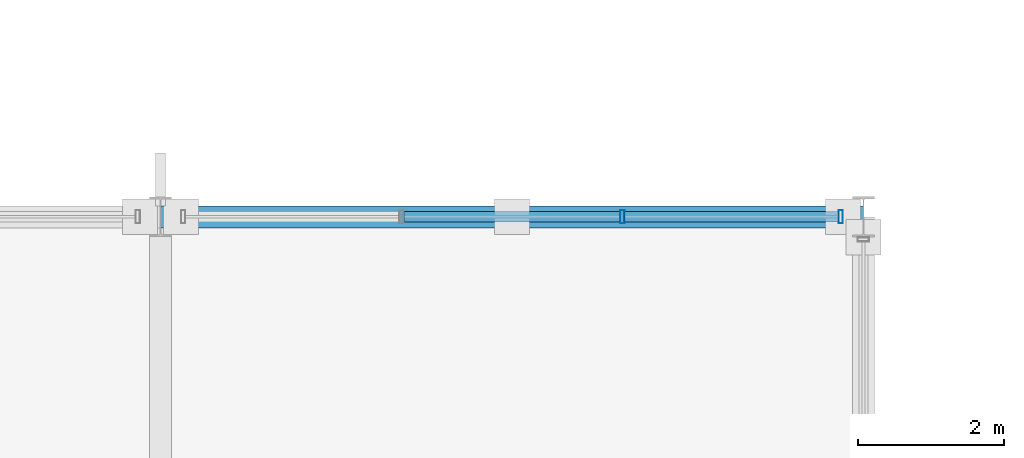
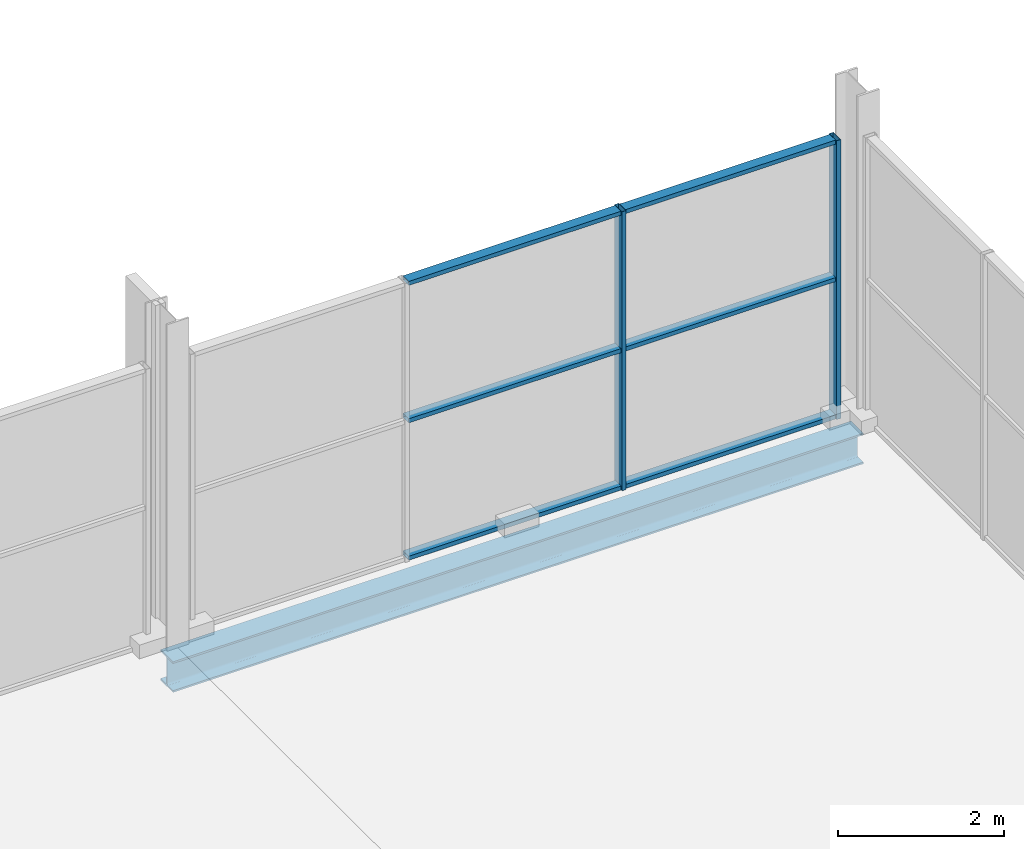
# One storey, part 89 of 159: 8 members, 1 beam, 1 element without a shape of its own.
"""IFC4 building model written with IfcOpenShell, lengths in metres."""

import ifcopenshell
import ifcopenshell.guid

model = None  # the IFC model being written
_history = None  # IfcOwnerHistory: only IFC2X3 demands one
_inside = {}  # id of a spatial element -> (the spatial element, [elements in it])
_under = {}  # id of a project, library or spatial element -> (it, [spatial elements below it])
_declared = {}  # id of a project -> (the project, [libraries it declares])
_typed = {}  # id of a type object -> (the type object, [elements of that type])
_made_of = {}  # id of a material, layer set ... -> (it, [elements and type objects made of it])


def new_model(schema):
    """Start an empty IFC model of exactly this schema.

    Asked for "IFC4X3", IfcOpenShell would pick the latest addendum, in which some entities
    have other attributes; the version numbers below select the first issue.
    IFC2X3 requires an IfcOwnerHistory on every rooted entity: one is made here for all.
    """
    global model, _history
    if schema == "IFC4X3":
        model = ifcopenshell.file(schema_version=(4, 3, 0, 0))
    else:
        model = ifcopenshell.file(schema=schema)
    _inside.clear()
    _under.clear()
    _declared.clear()
    _typed.clear()
    _made_of.clear()
    _history = None
    if model.schema == "IFC2X3":
        org = make("IfcOrganization", Name="unknown")
        user = make(
            "IfcPersonAndOrganization",
            ThePerson=make("IfcPerson", FamilyName="unknown"),
            TheOrganization=org,
        )
        app = make(
            "IfcApplication",
            ApplicationDeveloper=org,
            Version="unknown",
            ApplicationFullName="unknown",
            ApplicationIdentifier="unknown",
        )
        _history = make(
            "IfcOwnerHistory",
            OwningUser=user,
            OwningApplication=app,
            ChangeAction="ADDED",
            CreationDate=0,
        )
    return model


def make(cls, **values):
    """One entity of the class cls with the attributes given. An attribute that is None is left unset."""
    return model.create_entity(
        cls, **{name: value for name, value in values.items() if value is not None}
    )


def rooted(cls, **values):
    """An entity with a GlobalId (a new one), such as an element, a storey or a relation."""
    return make(cls, GlobalId=ifcopenshell.guid.new(), OwnerHistory=_history, **values)


def si_unit(unit_type, name, prefix=None):
    """IfcSIUnit, for example si_unit("LENGTHUNIT", "METRE", prefix="MILLI")."""
    return make("IfcSIUnit", UnitType=unit_type, Prefix=prefix, Name=name)


def assignment(units):
    """IfcUnitAssignment: the units of a project."""
    return None if units is None else make("IfcUnitAssignment", Units=units)


def point(xyz):
    """IfcCartesianPoint."""
    return None if xyz is None else make("IfcCartesianPoint", Coordinates=xyz)


def direction(xyz):
    """IfcDirection."""
    return None if xyz is None else make("IfcDirection", DirectionRatios=xyz)


def frame(location, z_axis=None, x_axis=None):
    """IfcAxis2Placement3D, a coordinate frame: its origin and axes. An axis left out is left unset."""
    return make(
        "IfcAxis2Placement3D",
        Location=point(location),
        Axis=direction(z_axis),
        RefDirection=direction(x_axis),
    )


def frame_2d(location, x_axis=None):
    """IfcAxis2Placement2D, a coordinate frame in the plane: its origin and x axis."""
    return make(
        "IfcAxis2Placement2D", Location=point(location), RefDirection=direction(x_axis)
    )


def origin():
    """The frame at (0, 0, 0) with its axes left unset."""
    return frame((0.0, 0.0, 0.0))


def origin_2d():
    """The frame at (0, 0) in the plane with its x axis left unset."""
    return frame_2d((0.0, 0.0))


def place(relative_to, where):
    """IfcLocalPlacement: puts the frame where relative to a parent placement (None: the world)."""
    return make(
        "IfcLocalPlacement", PlacementRelTo=relative_to, RelativePlacement=where
    )


def context(
    kind, dimensions, precision=None, world=None, true_north=None, identifier=None
):
    """IfcGeometricRepresentationContext, for example the 3D "Model" context."""
    return make(
        "IfcGeometricRepresentationContext",
        ContextIdentifier=identifier,
        ContextType=kind,
        CoordinateSpaceDimension=dimensions,
        Precision=precision,
        WorldCoordinateSystem=world,
        TrueNorth=true_north,
    )


def subcontext(parent, identifier, kind, view, scale=None):
    """IfcGeometricRepresentationSubContext, for example "Body" below "Model"."""
    return make(
        "IfcGeometricRepresentationSubContext",
        ContextIdentifier=identifier,
        ContextType=kind,
        ParentContext=parent,
        TargetScale=scale,
        TargetView=view,
    )


def project(units=None, contexts=None):
    """IfcProject with its units and contexts."""
    return rooted(
        "IfcProject",
        Name="project",
        RepresentationContexts=contexts,
        UnitsInContext=assignment(units),
    )


def spatial(cls, under=None, at=None, **own):
    """A site, building, storey or space (cls), placed at a placement, below another one or the project."""
    s = rooted(cls, ObjectPlacement=at, **own)
    if under is not None:
        _under.setdefault(under.id(), (under, []))[1].append(s)
    return s


def profile(cls, at=None, kind="AREA", **sizes):
    """A parametric profile (cls). Its sizes go by their IFC names, for example OverallWidth=200.0."""
    return make(cls, ProfileType=kind, Position=at, **sizes)


def hollow_rectangle(**sizes):
    """IfcRectangleHollowProfileDef."""
    return profile("IfcRectangleHollowProfileDef", **sizes)


def i_section(**sizes):
    """IfcIShapeProfileDef."""
    return profile("IfcIShapeProfileDef", **sizes)


def extrude(swept, where, along, depth):
    """IfcExtrudedAreaSolid: the profile swept, set in the frame where, extruded along a direction by depth."""
    return make(
        "IfcExtrudedAreaSolid",
        SweptArea=swept,
        Position=where,
        ExtrudedDirection=direction(along),
        Depth=depth,
    )


def shape(context_of_items, identifier, shape_type, items):
    """IfcShapeRepresentation: the items that make up one representation, for example the "Body"."""
    return make(
        "IfcShapeRepresentation",
        ContextOfItems=context_of_items,
        RepresentationIdentifier=identifier,
        RepresentationType=shape_type,
        Items=items,
    )


def material(Name=None, Category=None):
    """IfcMaterial."""
    return make("IfcMaterial", Name=Name, Category=Category)


def material_profile(
    of_material, cross_section, Name=None, Category=None, Priority=None
):
    """IfcMaterialProfile: a cross section and its material."""
    return make(
        "IfcMaterialProfile",
        Name=Name,
        Material=of_material,
        Profile=cross_section,
        Priority=Priority,
        Category=Category,
    )


def profile_set(profiles, Name=None, composite=None):
    """IfcMaterialProfileSet."""
    return make(
        "IfcMaterialProfileSet",
        Name=Name,
        MaterialProfiles=profiles,
        CompositeProfile=composite,
    )


def made_of(thing, what):
    """Note that an element or type object is made of a material, layer set ...; save() writes the relation."""
    if what is not None:
        _made_of.setdefault(what.id(), (what, []))[1].append(thing)
    return thing


def type_object(cls, material=None, **own):
    """A type object (cls), such as IfcWallType, which elements share."""
    return made_of(rooted(cls, **own), material)


def element(
    cls,
    number,
    at=None,
    inside=None,
    cuts=None,
    type_object=None,
    material=None,
    context=None,
    identifier="Body",
    shape_type=None,
    held_by="IfcProductDefinitionShape",
    body=None,
    shapes=None,
    **own,
):
    """One element of the class cls, such as IfcWall. Its Tag is "e" and its number.

    at: its placement. inside: the storey or other place that contains it. cuts: it is an
    opening in that element (IfcRelVoidsElement). A single representation is given by context,
    identifier, shape_type and body (its items); several are given by shapes. held_by: the class
    of the entity that holds the representations. save() writes the other relations.
    """
    e = rooted(cls, Tag="e%d" % number, ObjectPlacement=at, **own)
    if body is not None:
        shapes = [shape(context, identifier, shape_type, body)]
    if shapes is not None:
        e.Representation = make(held_by, Representations=shapes)
    if inside is not None:
        _inside.setdefault(inside.id(), (inside, []))[1].append(e)
    if cuts is not None:
        rooted(
            "IfcRelVoidsElement", RelatingBuildingElement=cuts, RelatedOpeningElement=e
        )
    if type_object is not None:
        _typed.setdefault(type_object.id(), (type_object, []))[1].append(e)
    return made_of(e, material)


def aggregate(whole, parts):
    """IfcRelAggregates: a whole, such as a stair, and the parts it consists of."""
    return rooted("IfcRelAggregates", RelatingObject=whole, RelatedObjects=parts)


def save(model, path):
    """Write the relations noted so far, then the file.

    IfcRelAggregates (storeys below a building ...), IfcRelContainedInSpatialStructure (elements
    in a storey), IfcRelDefinesByType, IfcRelAssociatesMaterial and IfcRelDeclares: one each for
    every whole, place, type object, material and project.
    """
    for whole, parts in _under.values():
        aggregate(whole, parts)
    for where, things in _inside.values():
        rooted(
            "IfcRelContainedInSpatialStructure",
            RelatedElements=things,
            RelatingStructure=where,
        )
    for kind, things in _typed.values():
        rooted("IfcRelDefinesByType", RelatedObjects=things, RelatingType=kind)
    for what, things in _made_of.values():
        rooted("IfcRelAssociatesMaterial", RelatedObjects=things, RelatingMaterial=what)
    for by, libraries in _declared.values():
        rooted("IfcRelDeclares", RelatingContext=by, RelatedDefinitions=libraries)
    model.write(path)


model = new_model("IFC4")

# Units and contexts
model_context = context("Model", 3, precision=1e-05, world=origin(), true_north=direction((0.0, 1.0)))
body_context = subcontext(model_context, "Body", "Model", "MODEL_VIEW")
ifc_project = project(units=[si_unit("LENGTHUNIT", "METRE"), si_unit("AREAUNIT", "SQUARE_METRE"), si_unit("VOLUMEUNIT", "CUBIC_METRE"), si_unit("PLANEANGLEUNIT", "RADIAN"), si_unit("MASSUNIT", "GRAM", prefix="KILO")], contexts=[model_context])

# Site, building, storey
site_placement = place(None, origin())
site = spatial("IfcSite", under=ifc_project, at=site_placement, CompositionType="ELEMENT")
building_placement = place(site_placement, origin())
building = spatial("IfcBuilding", under=site, at=building_placement, Name="Merenkruunu Market Hall", CompositionType="ELEMENT")
storey_placement = place(building_placement, frame((0.0, 0.0, 5.39990234375)))
storey = spatial("IfcBuildingStorey", under=building, at=storey_placement, Name="L01", CompositionType="ELEMENT", Elevation=5.39990234375)

# Curtain wall, members
ifc_material_1 = material(Name="Powder-coated aluminium", Category="aluminium")
curtain_wall_type = type_object("IfcCurtainWallType", Name="Glazed Curtain Wall CW09", PredefinedType="USERDEFINED", material=ifc_material_1)
curtain_wall_placement = place(storey_placement, origin())
curtain_wall = element("IfcCurtainWall", 1, at=curtain_wall_placement, inside=storey, type_object=curtain_wall_type, Name="CW-L01-CWM02-065", ObjectType="GLAZED_FACADE", PredefinedType="USERDEFINED")
ifc_material_profile_1 = material_profile(ifc_material_1, hollow_rectangle(XDim=0.06005859375, YDim=0.179931640625, WallThickness=0.00390625, at=origin_2d()), Name="ALU 60x180x4")
ifc_profile_set_1 = profile_set([ifc_material_profile_1], Name="Powder-coated aluminium")
member_type_1 = type_object("IfcMemberType", Name="Curtain Wall Mullion CWM02", PredefinedType="MULLION", material=ifc_profile_set_1)
member_1_placement = place(storey_placement, frame((54.306640625, 111.60009765625, 0.0), z_axis=(0.0, 0.0, 1.0), x_axis=(1.0, 0.0, 0.0)))
member_1 = element("IfcMember", 2, at=member_1_placement, type_object=member_type_1, Name="CW09 mullion 3", PredefinedType="MULLION", context=body_context, shape_type="SweptSolid", body=[
    extrude(hollow_rectangle(XDim=0.06005859375, YDim=0.179931640625, WallThickness=0.00390625, at=origin_2d()), origin(), (0.0, 0.0, 1.0), 4.10009765625),
])
member_2_placement = place(storey_placement, frame((57.2900390625, 111.60009765625, 0.0), z_axis=(0.0, 0.0, 1.0), x_axis=(1.0, 0.0, 0.0)))
member_2 = element("IfcMember", 3, at=member_2_placement, type_object=member_type_1, Name="CW09 mullion 4", PredefinedType="MULLION", context=body_context, shape_type="SweptSolid", body=[
    extrude(hollow_rectangle(XDim=0.06005859375, YDim=0.179931640625, WallThickness=0.00390625, at=origin_2d()), origin(), (0.0, 0.0, 1.0), 4.10009765625),
])
ifc_material_profile_2 = material_profile(ifc_material_1, hollow_rectangle(XDim=0.06005859375, YDim=0.139892578125, WallThickness=0.00390625, at=origin_2d()), Name="ALU 60x140x4")
ifc_profile_set_2 = profile_set([ifc_material_profile_2], Name="Powder-coated aluminium")
member_type_2 = type_object("IfcMemberType", Name="Curtain Wall Transom CWT02", PredefinedType="USERDEFINED", material=ifc_profile_set_2)
member_3_placement = place(storey_placement, frame((51.3232421875, 111.60009765625, 0.030029296875), z_axis=(1.0, 0.0, 0.0), x_axis=(0.0, 0.0, 1.0)))
member_3 = element("IfcMember", 4, at=member_3_placement, type_object=member_type_2, Name="CW09 transom 2.1", ObjectType="TRANSOM", PredefinedType="USERDEFINED", context=body_context, shape_type="SweptSolid", body=[
    extrude(hollow_rectangle(XDim=0.06005859375, YDim=0.139892578125, WallThickness=0.00390625, at=origin_2d()), origin(), (0.0, 0.0, 1.0), 2.953369140625),
])
member_4_placement = place(storey_placement, frame((51.3232421875, 111.60009765625, 2.050048828125), z_axis=(1.0, 0.0, 0.0), x_axis=(0.0, 0.0, 1.0)))
member_4 = element("IfcMember", 5, at=member_4_placement, type_object=member_type_2, Name="CW09 transom 2.2", ObjectType="TRANSOM", PredefinedType="USERDEFINED", context=body_context, shape_type="SweptSolid", body=[
    extrude(hollow_rectangle(XDim=0.06005859375, YDim=0.139892578125, WallThickness=0.00390625, at=origin_2d()), origin(), (0.0, 0.0, 1.0), 2.953369140625),
])
member_5_placement = place(storey_placement, frame((51.3232421875, 111.60009765625, 4.070068359375), z_axis=(1.0, 0.0, 0.0), x_axis=(0.0, 0.0, 1.0)))
member_5 = element("IfcMember", 6, at=member_5_placement, type_object=member_type_2, Name="CW09 transom 2.3", ObjectType="TRANSOM", PredefinedType="USERDEFINED", context=body_context, shape_type="SweptSolid", body=[
    extrude(hollow_rectangle(XDim=0.06005859375, YDim=0.139892578125, WallThickness=0.00390625, at=origin_2d()), origin(), (0.0, 0.0, 1.0), 2.953369140625),
])
member_6_placement = place(storey_placement, frame((54.336669921875, 111.60009765625, 0.030029296875), z_axis=(1.0, 0.0, 0.0), x_axis=(0.0, 0.0, 1.0)))
member_6 = element("IfcMember", 7, at=member_6_placement, type_object=member_type_2, Name="CW09 transom 3.1", ObjectType="TRANSOM", PredefinedType="USERDEFINED", context=body_context, shape_type="SweptSolid", body=[
    extrude(hollow_rectangle(XDim=0.06005859375, YDim=0.139892578125, WallThickness=0.00390625, at=origin_2d()), origin(), (0.0, 0.0, 1.0), 2.92333984375),
])
member_7_placement = place(storey_placement, frame((54.336669921875, 111.60009765625, 2.050048828125), z_axis=(1.0, 0.0, 0.0), x_axis=(0.0, 0.0, 1.0)))
member_7 = element("IfcMember", 8, at=member_7_placement, type_object=member_type_2, Name="CW09 transom 3.2", ObjectType="TRANSOM", PredefinedType="USERDEFINED", context=body_context, shape_type="SweptSolid", body=[
    extrude(hollow_rectangle(XDim=0.06005859375, YDim=0.139892578125, WallThickness=0.00390625, at=origin_2d()), origin(), (0.0, 0.0, 1.0), 2.92333984375),
])
member_8_placement = place(storey_placement, frame((54.336669921875, 111.60009765625, 4.070068359375), z_axis=(1.0, 0.0, 0.0), x_axis=(0.0, 0.0, 1.0)))
member_8 = element("IfcMember", 9, at=member_8_placement, type_object=member_type_2, Name="CW09 transom 3.3", ObjectType="TRANSOM", PredefinedType="USERDEFINED", context=body_context, shape_type="SweptSolid", body=[
    extrude(hollow_rectangle(XDim=0.06005859375, YDim=0.139892578125, WallThickness=0.00390625, at=origin_2d()), origin(), (0.0, 0.0, 1.0), 2.92333984375),
])
aggregate(curtain_wall, [member_1, member_2, member_3, member_4, member_5, member_6, member_7, member_8])

# Beam
ifc_material_2 = material(Name="Steel S355J2", Category="steel")
ifc_material_profile_3 = material_profile(ifc_material_2, i_section(OverallWidth=0.300048828125, OverallDepth=0.449951171875, WebThickness=0.013916015625, FlangeThickness=0.02587890625, FilletRadius=0.027099609375, at=origin_2d()), Name="HEB 450")
ifc_profile_set_3 = profile_set([ifc_material_profile_3], Name="Steel S355J2")
beam_type = type_object("IfcBeamType", Name="Primary Floor Girder B03", PredefinedType="BEAM", material=ifc_profile_set_3)
beam_placement = place(storey_placement, frame((48.0, 111.60009765625, -0.5048828125), z_axis=(1.0, 0.0, 0.0), x_axis=(0.0, 1.0, 0.0)))
element("IfcBeam", 10, at=beam_placement, inside=storey, type_object=beam_type, Name="BM-L01-B03-0550", PredefinedType="BEAM", context=body_context, shape_type="SweptSolid", body=[
    extrude(i_section(OverallWidth=0.300048828125, OverallDepth=0.449951171875, WebThickness=0.013916015625, FlangeThickness=0.02587890625, FilletRadius=0.027099609375, at=origin_2d()), origin(), (0.0, 0.0, 1.0), 9.60009765625),
])

save(model, "model.ifc")
